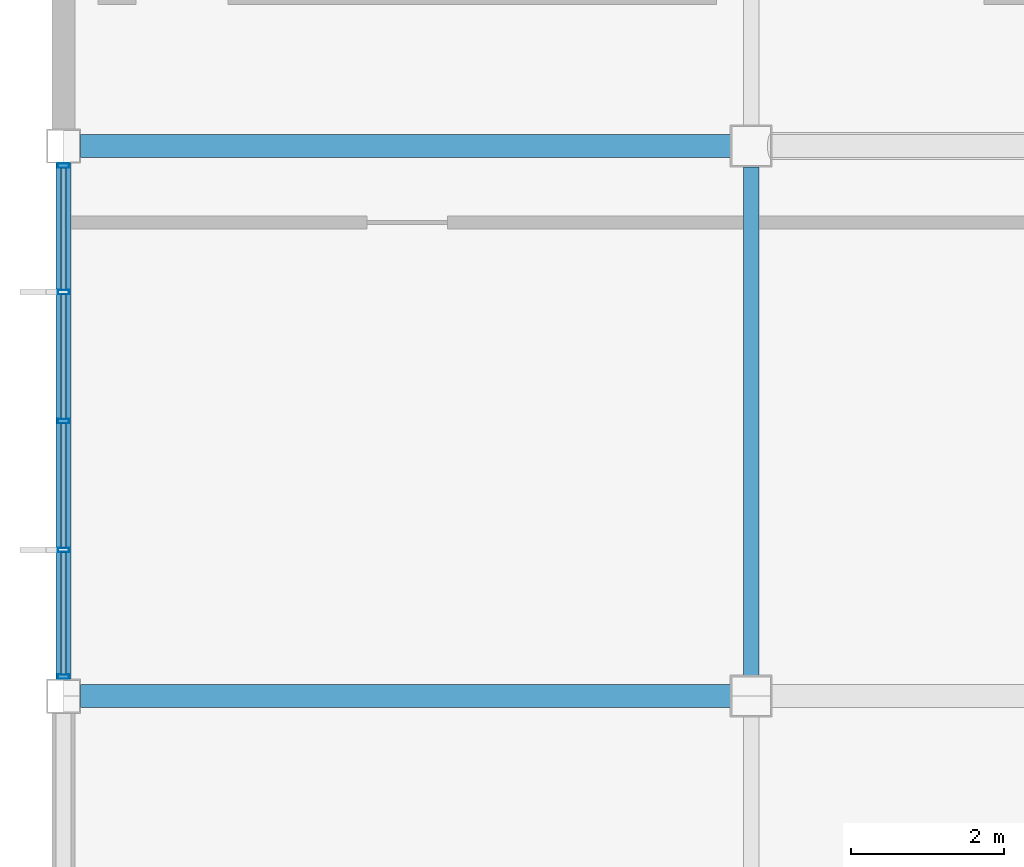
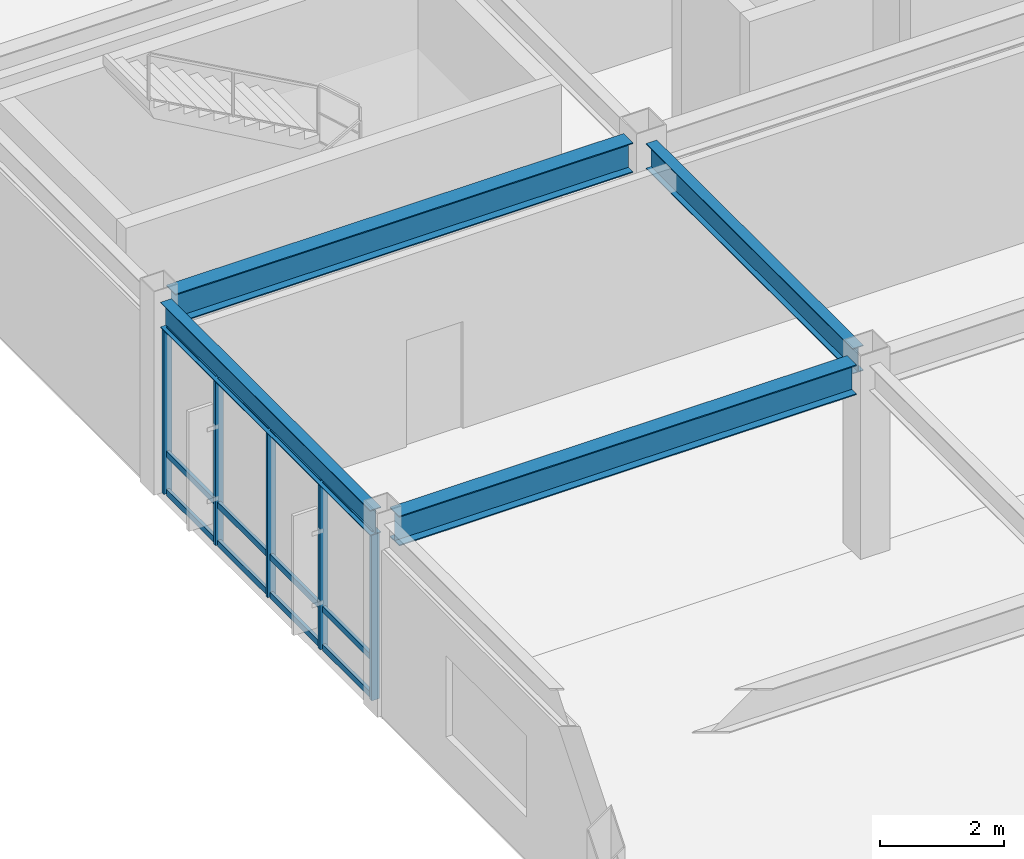
# One storey, part 53 of 122: 17 members, 4 beams, 1 element without a shape of its own.
"""IFC4 building model written with IfcOpenShell, lengths in metres."""

from ifc_helpers import new_model, si_unit, direction, frame, origin, origin_2d, place, context, subcontext, project, spatial, hollow_rectangle, i_section, extrude, material, material_profile, profile_set, type_object, element, aggregate, save


model = new_model("IFC4")

# Units and contexts
model_context = context("Model", 3, precision=1e-05, world=origin(), true_north=direction((0.0, 1.0)))
body_context = subcontext(model_context, "Body", "Model", "MODEL_VIEW")
ifc_project = project(units=[si_unit("LENGTHUNIT", "METRE"), si_unit("AREAUNIT", "SQUARE_METRE"), si_unit("VOLUMEUNIT", "CUBIC_METRE"), si_unit("PLANEANGLEUNIT", "RADIAN"), si_unit("MASSUNIT", "GRAM", prefix="KILO")], contexts=[model_context])

# Site, building, storey
site_placement = place(None, origin())
site = spatial("IfcSite", under=ifc_project, at=site_placement, CompositionType="ELEMENT")
building_placement = place(site_placement, origin())
building = spatial("IfcBuilding", under=site, at=building_placement, Name="Kazanami Central Library", CompositionType="ELEMENT")
storey_placement = place(building_placement, frame((0.0, 0.0, 4.800048828125)))
storey = spatial("IfcBuildingStorey", under=building, at=storey_placement, Name="L02", CompositionType="ELEMENT", Elevation=4.800048828125)

# Beams
ifc_material_1 = material(Name="Steel SN490B (325 MPa)", Category="steel")
ifc_material_profile_1 = material_profile(ifc_material_1, i_section(OverallWidth=0.300048828125, OverallDepth=0.587890625, WebThickness=0.011962890625, FlangeThickness=0.02001953125, at=origin_2d()), Name="H-588x300x12x20")
ifc_profile_set_1 = profile_set([ifc_material_profile_1], Name="Steel SN490B (325 MPa)")
beam_type_1 = type_object("IfcBeamType", Name="BM-G-X2", PredefinedType="BEAM", material=ifc_profile_set_1)
for number, where, z_axis, x_axis, name in (
    (1, (0.222900390625, 72.0, 3.4609375), (1.0, 0.0, 0.0), (0.0, 1.0, 0.0), "Girder G-X2 L02 L/1-2"),
    (2, (0.222900390625, 79.199951171875, 3.4609375), (1.0, 0.0, 0.0), (0.0, 1.0, 0.0), "Girder G-X2 L02 M/1-2"),
):
    element("IfcBeam", number, at=place(storey_placement, frame(where, z_axis=z_axis, x_axis=x_axis)), inside=storey, type_object=beam_type_1, Name=name, PredefinedType="BEAM", context=body_context, shape_type="SweptSolid", body=[
        extrude(i_section(OverallWidth=0.300048828125, OverallDepth=0.587890625, WebThickness=0.011962890625, FlangeThickness=0.02001953125, at=origin_2d()), origin(), (0.0, 0.0, 1.0), 8.504150390625),
    ])
ifc_material_profile_2 = material_profile(ifc_material_1, i_section(OverallWidth=0.199951171875, OverallDepth=0.5, WebThickness=0.010009765625, FlangeThickness=0.01611328125, at=origin_2d()), Name="H-500x200x10x16")
ifc_profile_set_2 = profile_set([ifc_material_profile_2], Name="Steel SN490B (325 MPa)")
beam_type_2 = type_object("IfcBeamType", Name="BM-G-Y2", PredefinedType="BEAM", material=ifc_profile_set_2)
beam_1_placement = place(storey_placement, frame((9.0, 72.27294921875, 3.5048828125), z_axis=(0.0, 1.0, 0.0), x_axis=(-1.0, 0.0, 0.0)))
element("IfcBeam", 3, at=beam_1_placement, inside=storey, type_object=beam_type_2, Name="Girder G-Y2 L02 2/L-M", PredefinedType="BEAM", context=body_context, shape_type="SweptSolid", body=[
    extrude(i_section(OverallWidth=0.199951171875, OverallDepth=0.5, WebThickness=0.010009765625, FlangeThickness=0.01611328125, at=origin_2d()), origin(), (0.0, 0.0, 1.0), 6.654052734375),
])
ifc_material_profile_3 = material_profile(ifc_material_1, i_section(OverallWidth=0.199951171875, OverallDepth=0.5, WebThickness=0.010009765625, FlangeThickness=0.01611328125, at=origin_2d()), Name="H-500x200x10x16")
ifc_profile_set_3 = profile_set([ifc_material_profile_3], Name="Steel SN490B (325 MPa)")
beam_type_3 = type_object("IfcBeamType", Name="BM-SP-1", PredefinedType="SPANDREL", material=ifc_profile_set_3)
beam_2_placement = place(storey_placement, frame((0.0, 72.222900390625, 3.5048828125), z_axis=(0.0, 1.0, 0.0), x_axis=(-1.0, 0.0, 0.0)))
element("IfcBeam", 4, at=beam_2_placement, inside=storey, type_object=beam_type_3, Name="Girder SP-1 L02 1/L-M", PredefinedType="SPANDREL", context=body_context, shape_type="SweptSolid", body=[
    extrude(i_section(OverallWidth=0.199951171875, OverallDepth=0.5, WebThickness=0.010009765625, FlangeThickness=0.01611328125, at=origin_2d()), origin(), (0.0, 0.0, 1.0), 6.754150390625),
])

# Curtain wall, members
ifc_material_2 = material(Name="Acid-Etched Low-E Laminated Glass", Category="glass")
curtain_wall_type = type_object("IfcCurtainWallType", Name="CW-6750x3255-M180", PredefinedType="USERDEFINED", material=ifc_material_2)
curtain_wall_placement = place(storey_placement, origin())
curtain_wall = element("IfcCurtainWall", 5, at=curtain_wall_placement, inside=storey, type_object=curtain_wall_type, Name="Unitised Curtain Wall CW-21 L02 W-1-10", ObjectType="UNITISED CURTAIN WALL", PredefinedType="USERDEFINED")
ifc_material_3 = material(Name="Anodised Aluminium A6063-T5", Category="aluminium")
ifc_material_profile_4 = material_profile(ifc_material_3, hollow_rectangle(XDim=0.06005859375, YDim=0.14990234375, WallThickness=0.00390625, at=origin_2d()), Name="ALU-MULL-60x150x4")
ifc_profile_set_4 = profile_set([ifc_material_profile_4], Name="Anodised Aluminium A6063-T5")
member_type_1 = type_object("IfcMemberType", Name="MEM-CW-M3", PredefinedType="MULLION", material=ifc_profile_set_4)
member_1_placement = place(storey_placement, frame((0.0, 72.2548828125, 0.0), z_axis=(0.0, 0.0, 1.0), x_axis=(0.0, 1.0, 0.0)))
member_1 = element("IfcMember", 6, at=member_1_placement, type_object=member_type_1, Name="CW-21 mullion 1", PredefinedType="MULLION", context=body_context, shape_type="SweptSolid", body=[
    extrude(hollow_rectangle(XDim=0.06005859375, YDim=0.14990234375, WallThickness=0.00390625, at=origin_2d()), origin(), (0.0, 0.0, 1.0), 3.2548828125),
])
member_2_placement = place(storey_placement, frame((0.0, 73.91259765625, 0.0), z_axis=(0.0, 0.0, 1.0), x_axis=(0.0, 1.0, 0.0)))
member_2 = element("IfcMember", 7, at=member_2_placement, type_object=member_type_1, Name="CW-21 mullion 2", PredefinedType="MULLION", context=body_context, shape_type="SweptSolid", body=[
    extrude(hollow_rectangle(XDim=0.06005859375, YDim=0.14990234375, WallThickness=0.00390625, at=origin_2d()), origin(), (0.0, 0.0, 1.0), 3.2548828125),
])
member_3_placement = place(storey_placement, frame((0.0, 75.60009765625, 0.0), z_axis=(0.0, 0.0, 1.0), x_axis=(0.0, 1.0, 0.0)))
member_3 = element("IfcMember", 8, at=member_3_placement, type_object=member_type_1, Name="CW-21 mullion 3", PredefinedType="MULLION", context=body_context, shape_type="SweptSolid", body=[
    extrude(hollow_rectangle(XDim=0.06005859375, YDim=0.14990234375, WallThickness=0.00390625, at=origin_2d()), origin(), (0.0, 0.0, 1.0), 3.2548828125),
])
member_4_placement = place(storey_placement, frame((0.0, 77.28759765625, 0.0), z_axis=(0.0, 0.0, 1.0), x_axis=(0.0, 1.0, 0.0)))
member_4 = element("IfcMember", 9, at=member_4_placement, type_object=member_type_1, Name="CW-21 mullion 4", PredefinedType="MULLION", context=body_context, shape_type="SweptSolid", body=[
    extrude(hollow_rectangle(XDim=0.06005859375, YDim=0.14990234375, WallThickness=0.00390625, at=origin_2d()), origin(), (0.0, 0.0, 1.0), 3.2548828125),
])
member_5_placement = place(storey_placement, frame((0.0, 78.945068359375, 0.0), z_axis=(0.0, 0.0, 1.0), x_axis=(0.0, 1.0, 0.0)))
member_5 = element("IfcMember", 10, at=member_5_placement, type_object=member_type_1, Name="CW-21 mullion 5", PredefinedType="MULLION", context=body_context, shape_type="SweptSolid", body=[
    extrude(hollow_rectangle(XDim=0.06005859375, YDim=0.14990234375, WallThickness=0.00390625, at=origin_2d()), origin(), (0.0, 0.0, 1.0), 3.2548828125),
])
ifc_material_profile_5 = material_profile(ifc_material_3, hollow_rectangle(XDim=0.06005859375, YDim=0.1201171875, WallThickness=0.00341796875, at=origin_2d()), Name="ALU-TRAN-60x120x3.5")
ifc_profile_set_5 = profile_set([ifc_material_profile_5], Name="Anodised Aluminium A6063-T5")
member_type_2 = type_object("IfcMemberType", Name="MEM-CW-T3", PredefinedType="USERDEFINED", material=ifc_profile_set_5)
member_6_placement = place(storey_placement, frame((0.0, 72.284912109375, 0.030029296875), z_axis=(0.0, 1.0, 0.0), x_axis=(-1.0, 0.0, 0.0)))
member_6 = element("IfcMember", 11, at=member_6_placement, type_object=member_type_2, Name="CW-21 transom 1.1", ObjectType="TRANSOM", PredefinedType="USERDEFINED", context=body_context, shape_type="SweptSolid", body=[
    extrude(hollow_rectangle(XDim=0.06005859375, YDim=0.1201171875, WallThickness=0.00341796875, at=origin_2d()), origin(), (0.0, 0.0, 1.0), 1.59765625),
])
member_7_placement = place(storey_placement, frame((0.0, 72.284912109375, 0.780029296875), z_axis=(0.0, 1.0, 0.0), x_axis=(-1.0, 0.0, 0.0)))
member_7 = element("IfcMember", 12, at=member_7_placement, type_object=member_type_2, Name="CW-21 transom 1.2", ObjectType="TRANSOM", PredefinedType="USERDEFINED", context=body_context, shape_type="SweptSolid", body=[
    extrude(hollow_rectangle(XDim=0.06005859375, YDim=0.1201171875, WallThickness=0.00341796875, at=origin_2d()), origin(), (0.0, 0.0, 1.0), 1.59765625),
])
member_8_placement = place(storey_placement, frame((0.0, 72.284912109375, 3.224853515625), z_axis=(0.0, 1.0, 0.0), x_axis=(-1.0, 0.0, 0.0)))
member_8 = element("IfcMember", 13, at=member_8_placement, type_object=member_type_2, Name="CW-21 transom 1.3", ObjectType="TRANSOM", PredefinedType="USERDEFINED", context=body_context, shape_type="SweptSolid", body=[
    extrude(hollow_rectangle(XDim=0.06005859375, YDim=0.1201171875, WallThickness=0.00341796875, at=origin_2d()), origin(), (0.0, 0.0, 1.0), 1.59765625),
])
member_9_placement = place(storey_placement, frame((0.0, 73.9423828125, 0.030029296875), z_axis=(0.0, 1.0, 0.0), x_axis=(-1.0, 0.0, 0.0)))
member_9 = element("IfcMember", 14, at=member_9_placement, type_object=member_type_2, Name="CW-21 transom 2.1", ObjectType="TRANSOM", PredefinedType="USERDEFINED", context=body_context, shape_type="SweptSolid", body=[
    extrude(hollow_rectangle(XDim=0.06005859375, YDim=0.1201171875, WallThickness=0.00341796875, at=origin_2d()), origin(), (0.0, 0.0, 1.0), 1.627685546875),
])
member_10_placement = place(storey_placement, frame((0.0, 73.9423828125, 0.780029296875), z_axis=(0.0, 1.0, 0.0), x_axis=(-1.0, 0.0, 0.0)))
member_10 = element("IfcMember", 15, at=member_10_placement, type_object=member_type_2, Name="CW-21 transom 2.2", ObjectType="TRANSOM", PredefinedType="USERDEFINED", context=body_context, shape_type="SweptSolid", body=[
    extrude(hollow_rectangle(XDim=0.06005859375, YDim=0.1201171875, WallThickness=0.00341796875, at=origin_2d()), origin(), (0.0, 0.0, 1.0), 1.627685546875),
])
member_11_placement = place(storey_placement, frame((0.0, 73.9423828125, 3.224853515625), z_axis=(0.0, 1.0, 0.0), x_axis=(-1.0, 0.0, 0.0)))
member_11 = element("IfcMember", 16, at=member_11_placement, type_object=member_type_2, Name="CW-21 transom 2.3", ObjectType="TRANSOM", PredefinedType="USERDEFINED", context=body_context, shape_type="SweptSolid", body=[
    extrude(hollow_rectangle(XDim=0.06005859375, YDim=0.1201171875, WallThickness=0.00341796875, at=origin_2d()), origin(), (0.0, 0.0, 1.0), 1.627685546875),
])
member_12_placement = place(storey_placement, frame((0.0, 75.6298828125, 0.030029296875), z_axis=(0.0, 1.0, 0.0), x_axis=(-1.0, 0.0, 0.0)))
member_12 = element("IfcMember", 17, at=member_12_placement, type_object=member_type_2, Name="CW-21 transom 3.1", ObjectType="TRANSOM", PredefinedType="USERDEFINED", context=body_context, shape_type="SweptSolid", body=[
    extrude(hollow_rectangle(XDim=0.06005859375, YDim=0.1201171875, WallThickness=0.00341796875, at=origin_2d()), origin(), (0.0, 0.0, 1.0), 1.627685546875),
])
member_13_placement = place(storey_placement, frame((0.0, 75.6298828125, 0.780029296875), z_axis=(0.0, 1.0, 0.0), x_axis=(-1.0, 0.0, 0.0)))
member_13 = element("IfcMember", 18, at=member_13_placement, type_object=member_type_2, Name="CW-21 transom 3.2", ObjectType="TRANSOM", PredefinedType="USERDEFINED", context=body_context, shape_type="SweptSolid", body=[
    extrude(hollow_rectangle(XDim=0.06005859375, YDim=0.1201171875, WallThickness=0.00341796875, at=origin_2d()), origin(), (0.0, 0.0, 1.0), 1.627685546875),
])
member_14_placement = place(storey_placement, frame((0.0, 75.6298828125, 3.224853515625), z_axis=(0.0, 1.0, 0.0), x_axis=(-1.0, 0.0, 0.0)))
member_14 = element("IfcMember", 19, at=member_14_placement, type_object=member_type_2, Name="CW-21 transom 3.3", ObjectType="TRANSOM", PredefinedType="USERDEFINED", context=body_context, shape_type="SweptSolid", body=[
    extrude(hollow_rectangle(XDim=0.06005859375, YDim=0.1201171875, WallThickness=0.00341796875, at=origin_2d()), origin(), (0.0, 0.0, 1.0), 1.627685546875),
])
member_15_placement = place(storey_placement, frame((0.0, 77.3173828125, 0.030029296875), z_axis=(0.0, 1.0, 0.0), x_axis=(-1.0, 0.0, 0.0)))
member_15 = element("IfcMember", 20, at=member_15_placement, type_object=member_type_2, Name="CW-21 transom 4.1", ObjectType="TRANSOM", PredefinedType="USERDEFINED", context=body_context, shape_type="SweptSolid", body=[
    extrude(hollow_rectangle(XDim=0.06005859375, YDim=0.1201171875, WallThickness=0.00341796875, at=origin_2d()), origin(), (0.0, 0.0, 1.0), 1.59765625),
])
member_16_placement = place(storey_placement, frame((0.0, 77.3173828125, 0.780029296875), z_axis=(0.0, 1.0, 0.0), x_axis=(-1.0, 0.0, 0.0)))
member_16 = element("IfcMember", 21, at=member_16_placement, type_object=member_type_2, Name="CW-21 transom 4.2", ObjectType="TRANSOM", PredefinedType="USERDEFINED", context=body_context, shape_type="SweptSolid", body=[
    extrude(hollow_rectangle(XDim=0.06005859375, YDim=0.1201171875, WallThickness=0.00341796875, at=origin_2d()), origin(), (0.0, 0.0, 1.0), 1.59765625),
])
member_17_placement = place(storey_placement, frame((0.0, 77.3173828125, 3.224853515625), z_axis=(0.0, 1.0, 0.0), x_axis=(-1.0, 0.0, 0.0)))
member_17 = element("IfcMember", 22, at=member_17_placement, type_object=member_type_2, Name="CW-21 transom 4.3", ObjectType="TRANSOM", PredefinedType="USERDEFINED", context=body_context, shape_type="SweptSolid", body=[
    extrude(hollow_rectangle(XDim=0.06005859375, YDim=0.1201171875, WallThickness=0.00341796875, at=origin_2d()), origin(), (0.0, 0.0, 1.0), 1.59765625),
])
aggregate(curtain_wall, [member_1, member_2, member_3, member_4, member_5, member_6, member_7, member_8, member_9, member_10, member_11, member_12, member_13, member_14, member_15, member_16, member_17])

save(model, "model.ifc")
